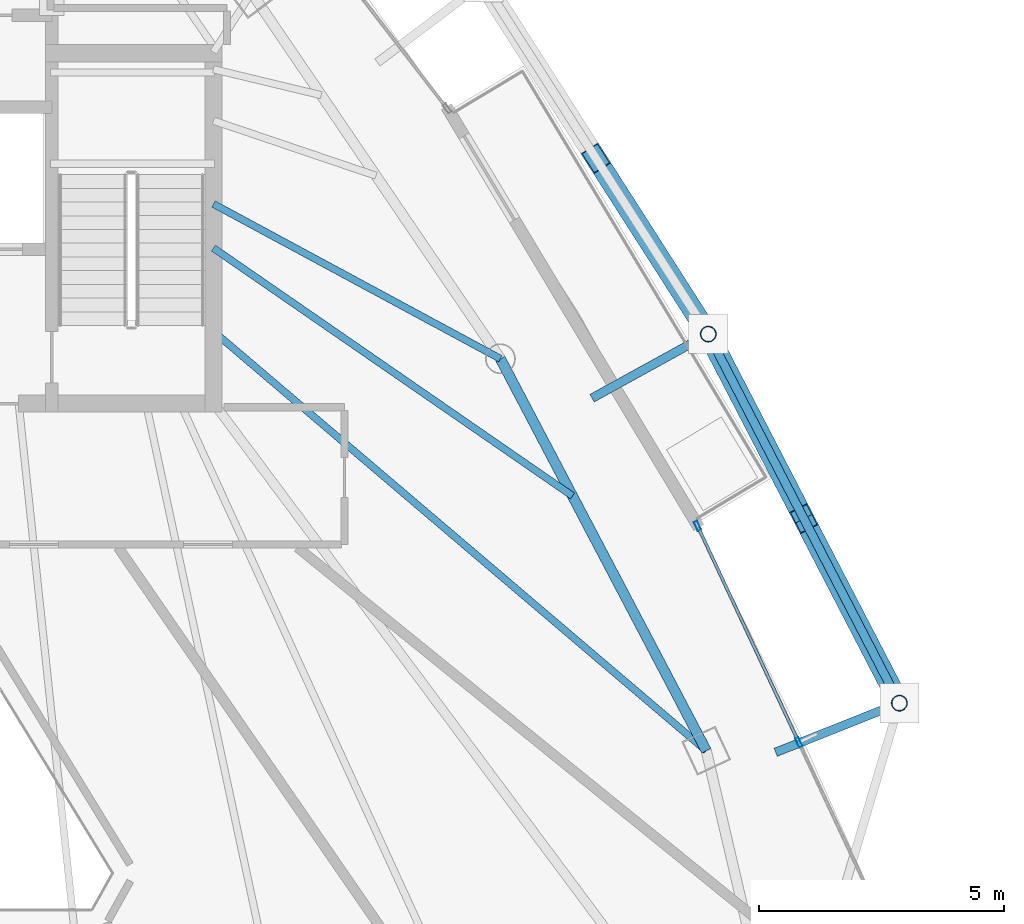
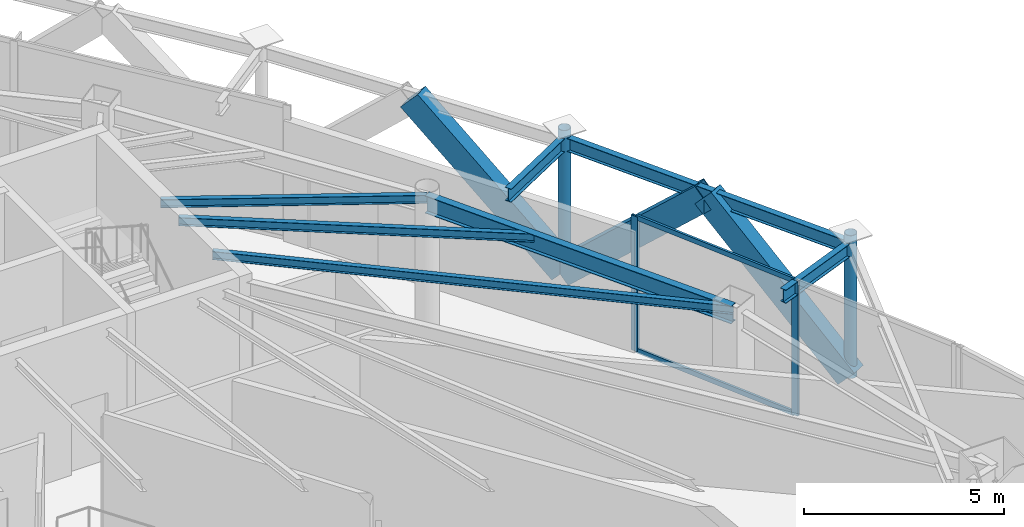
# One storey, part 14 of 25: 9 members, 7 beams, 1 element without a shape of its own.
"""IFC4 building model written with IfcOpenShell, lengths in metres."""

from ifc_helpers import new_model, si_unit, direction, frame, origin, origin_2d, place, context, subcontext, project, spatial, hollow_rectangle, hollow_circle, i_section, extrude, material, layer, layer_set, material_profile, profile_set, type_object, element, aggregate, save


model = new_model("IFC4")

# Units and contexts
model_context = context("Model", 3, precision=1e-05, world=origin(), true_north=direction((0.0, 1.0)))
body_context = subcontext(model_context, "Body", "Model", "MODEL_VIEW")
ifc_project = project(units=[si_unit("LENGTHUNIT", "METRE"), si_unit("AREAUNIT", "SQUARE_METRE"), si_unit("VOLUMEUNIT", "CUBIC_METRE"), si_unit("PLANEANGLEUNIT", "RADIAN"), si_unit("MASSUNIT", "GRAM", prefix="KILO")], contexts=[model_context])

# Site, building, storey
site_placement = place(None, origin())
site = spatial("IfcSite", under=ifc_project, at=site_placement, CompositionType="ELEMENT")
building_placement = place(site_placement, origin())
building = spatial("IfcBuilding", under=site, at=building_placement, Name="Orvanel Arch Residences", CompositionType="ELEMENT")
storey_placement = place(building_placement, frame((0.0, 0.0, 236.0)))
storey = spatial("IfcBuildingStorey", under=building, at=storey_placement, Name="L67", CompositionType="ELEMENT", Elevation=236.0)

# Beams
ifc_material_1 = material(Name="Structural steel AS/NZS 3679.1 Grade 300 (300 MPa)", Category="steel")
ifc_material_profile_1 = material_profile(ifc_material_1, i_section(OverallWidth=0.14599609375, OverallDepth=0.251953125, WebThickness=0.006103515625, FlangeThickness=0.008544921875, at=origin_2d()), Name="250UB31.4")
ifc_profile_set_1 = profile_set([ifc_material_profile_1], Name="Structural steel AS/NZS 3679.1 Grade 300 (300 MPa)")
beam_type_1 = type_object("IfcBeamType", Name="BJ-250UB", PredefinedType="JOIST", material=ifc_profile_set_1)
beam_1_placement = place(storey_placement, frame((39.574951171875, 30.800048828125, 3.98388671875), z_axis=(0.880111494021, -0.474767056664, 0.0), x_axis=(0.474767056664, 0.880111494021, 0.0)))
element("IfcBeam", 1, at=beam_1_placement, inside=storey, type_object=beam_type_1, Name="L67 NE Wing Floor Joist", PredefinedType="JOIST", context=body_context, shape_type="SweptSolid", body=[
    extrude(i_section(OverallWidth=0.14599609375, OverallDepth=0.251953125, WebThickness=0.006103515625, FlangeThickness=0.008544921875, at=origin_2d()), origin(), (0.0, 0.0, 1.0), 6.653564453125),
])
beam_2_placement = place(storey_placement, frame((39.574951171875, 28.199951171875, 3.98388671875), z_axis=(0.761622669031, -0.64802076357, 0.0), x_axis=(0.64802076357, 0.761622669031, 0.0)))
element("IfcBeam", 2, at=beam_2_placement, inside=storey, type_object=beam_type_1, Name="L67 E Wing Floor Joist", PredefinedType="JOIST", context=body_context, shape_type="SweptSolid", body=[
    extrude(i_section(OverallWidth=0.14599609375, OverallDepth=0.251953125, WebThickness=0.006103515625, FlangeThickness=0.008544921875, at=origin_2d()), origin(), (0.0, 0.0, 1.0), 13.2060546875),
])
beam_3_placement = place(storey_placement, frame((39.574951171875, 29.89990234375, 3.98388671875), z_axis=(0.822917046387, -0.568161539323, 0.0), x_axis=(0.568161539323, 0.822917046387, 0.0)))
element("IfcBeam", 3, at=beam_3_placement, inside=storey, type_object=beam_type_1, Name="L67 CTE Wing Floor Joist", PredefinedType="JOIST", context=body_context, shape_type="SweptSolid", body=[
    extrude(i_section(OverallWidth=0.14599609375, OverallDepth=0.251953125, WebThickness=0.006103515625, FlangeThickness=0.008544921875, at=origin_2d()), origin(), (0.0, 0.0, 1.0), 8.90380859375),
])

# Members
ifc_material_2 = material(Name="Structural steel AS/NZS 3678 Grade 350", Category="steel")
ifc_material_profile_2 = material_profile(ifc_material_2, hollow_rectangle(XDim=0.419921875, YDim=0.719970703125, WallThickness=0.02490234375, at=origin_2d()), Name="RHS720x420x25")
ifc_profile_set_2 = profile_set([ifc_material_profile_2], Name="Structural steel AS/NZS 3678 Grade 350")
member_type_1 = type_object("IfcMemberType", Name="BR-720RHS-EXT", PredefinedType="BRACE", material=ifc_profile_set_2)
member_1_placement = place(storey_placement, frame((53.573974609375, 20.612060546875, 0.0), z_axis=(-0.338171582428, 0.653098367216, 0.677571032127), x_axis=(-0.888016657429, -0.459811283169, 0.0)))
element("IfcMember", 4, at=member_1_placement, inside=storey, type_object=member_type_1, Name="L67 Exterior Sky-Garden V-Frame Chevron F3B1.1", PredefinedType="BRACE", context=body_context, shape_type="SweptSolid", body=[
    extrude(hollow_rectangle(XDim=0.419921875, YDim=0.719970703125, WallThickness=0.02490234375, at=origin_2d()), origin(), (0.0, 0.0, 1.0), 5.76611328125),
])
member_2_placement = place(storey_placement, frame((49.674072265625, 28.14404296875, 0.0), z_axis=(0.338162231274, -0.653122646756, 0.677552295866), x_axis=(0.888028828306, 0.459787777238, 0.0)))
element("IfcMember", 5, at=member_2_placement, inside=storey, type_object=member_type_1, Name="L67 Exterior Sky-Garden V-Frame Chevron F3B1.2", PredefinedType="BRACE", context=body_context, shape_type="SweptSolid", body=[
    extrude(hollow_rectangle(XDim=0.419921875, YDim=0.719970703125, WallThickness=0.02490234375, at=origin_2d()), origin(), (0.0, 0.0, 1.0), 5.766357421875),
])
member_3_placement = place(storey_placement, frame((49.674072265625, 28.14404296875, 0.0), z_axis=(-0.396963887707, 0.620813163109, 0.676025656589), x_axis=(-0.842491011802, -0.538710399967, 0.0)))
element("IfcMember", 6, at=member_3_placement, inside=storey, type_object=member_type_1, Name="L67 Exterior Sky-Garden V-Frame Chevron F3B2.1", PredefinedType="BRACE", context=body_context, shape_type="SweptSolid", body=[
    extrude(hollow_rectangle(XDim=0.419921875, YDim=0.719970703125, WallThickness=0.02490234375, at=origin_2d()), origin(), (0.0, 0.0, 1.0), 5.779296875),
])

# Curtain wall, members
ifc_material_3 = material(Name="Bronze-anodised aluminium AA6063-T6", Category="aluminium")
ifc_layer = layer(ifc_material_3, 0.195068359375)
ifc_layer_set = layer_set([ifc_layer], Name="Bronze-anodised aluminium AA6063-T6")
curtain_wall_type = type_object("IfcCurtainWallType", Name="CW6-COM-SYS", PredefinedType="NOTDEFINED", material=ifc_layer_set)
curtain_wall_placement = place(storey_placement, origin())
curtain_wall = element("IfcCurtainWall", 7, at=curtain_wall_placement, inside=storey, type_object=curtain_wall_type, Name="L67 CW6-COM-SYS Unitised Curtain Wall", PredefinedType="NOTDEFINED")
ifc_material_profile_3 = material_profile(ifc_material_3, hollow_rectangle(XDim=0.074951171875, YDim=0.199951171875, WallThickness=0.0048828125, at=origin_2d()), Name="ALU200x75x5")
ifc_profile_set_3 = profile_set([ifc_material_profile_3], Name="Bronze-anodised aluminium AA6063-T6")
member_type_2 = type_object("IfcMemberType", Name="MUL-200x75", PredefinedType="MULLION", material=ifc_profile_set_3)
member_4_placement = place(storey_placement, frame((51.52197265625, 19.8125, 0.0), z_axis=(0.0, 0.0, 1.0), x_axis=(-0.905779948908, -0.423748373633, 0.0)))
member_4 = element("IfcMember", 8, at=member_4_placement, type_object=member_type_2, Name="CW-S6 mullion 2", PredefinedType="MULLION", context=body_context, shape_type="SweptSolid", body=[
    extrude(hollow_rectangle(XDim=0.074951171875, YDim=0.199951171875, WallThickness=0.0048828125, at=origin_2d()), origin(), (0.0, 0.0, 1.0), 4.110107421875),
])
member_5_placement = place(storey_placement, frame((49.454833984375, 24.23095703125, 0.0), z_axis=(0.0, 0.0, 1.0), x_axis=(-0.905779948908, -0.423748373633, 0.0)))
member_5 = element("IfcMember", 9, at=member_5_placement, type_object=member_type_2, Name="CW-S6 mullion 3", PredefinedType="MULLION", context=body_context, shape_type="SweptSolid", body=[
    extrude(hollow_rectangle(XDim=0.074951171875, YDim=0.199951171875, WallThickness=0.0048828125, at=origin_2d()), origin(), (0.0, 0.0, 1.0), 4.110107421875),
])

# Beams
ifc_material_profile_4 = material_profile(ifc_material_1, i_section(OverallWidth=0.177978515625, OverallDepth=0.406005859375, WebThickness=0.0078125, FlangeThickness=0.0126953125, at=origin_2d()), Name="410UB59.7")
ifc_profile_set_4 = profile_set([ifc_material_profile_4], Name="Structural steel AS/NZS 3679.1 Grade 300 (300 MPa)")
beam_type_2 = type_object("IfcBeamType", Name="OB-410UB-EXT", PredefinedType="SPANDREL", material=ifc_profile_set_4)
beam_4_placement = place(storey_placement, frame((51.049072265625, 19.60791015625, 3.906982421875), z_axis=(0.929212237447, 0.369546502864, 0.0), x_axis=(-0.369546502864, 0.929212237447, 0.0)))
element("IfcBeam", 10, at=beam_4_placement, inside=storey, type_object=beam_type_2, Name="L67 Outer Frame Radial Tie Beam 09", PredefinedType="SPANDREL", context=body_context, shape_type="SweptSolid", body=[
    extrude(i_section(OverallWidth=0.177978515625, OverallDepth=0.406005859375, WebThickness=0.0078125, FlangeThickness=0.0126953125, at=origin_2d()), origin(), (0.0, 0.0, 1.0), 2.71728515625),
])
beam_5_placement = place(storey_placement, frame((53.573974609375, 20.612060546875, 3.906982421875), z_axis=(-0.459799529944, 0.8880227431, 0.0), x_axis=(-0.8880227431, -0.459799529944, 0.0)))
element("IfcBeam", 11, at=beam_5_placement, inside=storey, type_object=beam_type_2, Name="L67 Outer Perimeter Floor Ring Beam 09", PredefinedType="SPANDREL", context=body_context, shape_type="SweptSolid", body=[
    extrude(i_section(OverallWidth=0.177978515625, OverallDepth=0.406005859375, WebThickness=0.0078125, FlangeThickness=0.0126953125, at=origin_2d()), origin(), (0.0, 0.0, 1.0), 8.481689453125),
])
beam_6_placement = place(storey_placement, frame((47.302001953125, 26.8369140625, 3.906982421875), z_axis=(0.875827370142, 0.48262451006, 0.0), x_axis=(-0.48262451006, 0.875827370142, 0.0)))
element("IfcBeam", 12, at=beam_6_placement, inside=storey, type_object=beam_type_2, Name="L67 Outer Frame Radial Tie Beam 10", PredefinedType="SPANDREL", context=body_context, shape_type="SweptSolid", body=[
    extrude(i_section(OverallWidth=0.177978515625, OverallDepth=0.406005859375, WebThickness=0.0078125, FlangeThickness=0.0126953125, at=origin_2d()), origin(), (0.0, 0.0, 1.0), 2.70849609375),
])
ifc_material_profile_5 = material_profile(ifc_material_1, i_section(OverallWidth=0.208984375, OverallDepth=0.532958984375, WebThickness=0.01025390625, FlangeThickness=0.015625, at=origin_2d()), Name="530UB92.4")
ifc_profile_set_5 = profile_set([ifc_material_profile_5], Name="Structural steel AS/NZS 3679.1 Grade 300 (300 MPa)")
beam_type_3 = type_object("IfcBeamType", Name="SP-530UB", PredefinedType="SPANDREL", material=ifc_profile_set_5)
beam_7_placement = place(storey_placement, frame((49.633056640625, 19.64208984375, 3.843994140625), z_axis=(-0.465064762793, 0.885276660942, 0.0), x_axis=(-0.885276660942, -0.465064762793, 0.0)))
element("IfcBeam", 13, at=beam_7_placement, inside=storey, type_object=beam_type_3, Name="L67 Perimeter Spandrel Beam 07", PredefinedType="SPANDREL", context=body_context, shape_type="SweptSolid", body=[
    extrude(i_section(OverallWidth=0.208984375, OverallDepth=0.532958984375, WebThickness=0.01025390625, FlangeThickness=0.015625, at=origin_2d()), origin(), (0.0, 0.0, 1.0), 9.03564453125),
])

# Members
ifc_material_4 = material(Name="Structural steel AS/NZS 1163 C350L0 (Grade 350)", Category="steel")
ifc_material_profile_6 = material_profile(ifc_material_4, hollow_circle(Radius=0.162109375, WallThickness=0.0126953125, at=origin_2d()), Name="CHS324x12.7")
ifc_profile_set_6 = profile_set([ifc_material_profile_6], Name="Structural steel AS/NZS 1163 C350L0 (Grade 350)")
member_type_3 = type_object("IfcMemberType", Name="ST-324CHS-EXT", PredefinedType="STRUT", material=ifc_profile_set_6)
for number, where, z_axis, x_axis, name in (
    (14, (53.573974609375, 20.612060546875, 0.0), (0.0, 0.0, 1.0), (1.0, 0.0, 0.0), "L67 Outer Perimeter Frame Post 09"),
    (15, (49.674072265625, 28.14404296875, 0.0), (0.0, 0.0, 1.0), (1.0, 0.0, 0.0), "L67 Outer Perimeter Frame Post 10"),
):
    element("IfcMember", number, at=place(storey_placement, frame(where, z_axis=z_axis, x_axis=x_axis)), inside=storey, type_object=member_type_3, Name=name, PredefinedType="STRUT", context=body_context, shape_type="SweptSolid", body=[
        extrude(hollow_circle(Radius=0.162109375, WallThickness=0.0126953125, at=origin_2d()), origin(), (0.0, 0.0, 1.0), 4.35009765625),
    ])

# Member
ifc_material_profile_7 = material_profile(ifc_material_3, hollow_rectangle(XDim=0.06494140625, YDim=0.14990234375, WallThickness=0.00390625, at=origin_2d()), Name="ALU150x65x4")
ifc_profile_set_7 = profile_set([ifc_material_profile_7], Name="Bronze-anodised aluminium AA6063-T6")
member_type_4 = type_object("IfcMemberType", Name="TRN-150x65", PredefinedType="USERDEFINED", material=ifc_profile_set_7)
member_6_placement = place(storey_placement, frame((51.506103515625, 19.846435546875, 0.032470703125), z_axis=(-0.423761790356, 0.905773672081, 0.0), x_axis=(-0.905773672081, -0.423761790356, 0.0)))
member_6 = element("IfcMember", 16, at=member_6_placement, type_object=member_type_4, Name="CW-S6 transom 2.1", ObjectType="TRANSOM", PredefinedType="USERDEFINED", context=body_context, shape_type="SweptSolid", body=[
    extrude(hollow_rectangle(XDim=0.06494140625, YDim=0.14990234375, WallThickness=0.00390625, at=origin_2d()), origin(), (0.0, 0.0, 1.0), 4.80322265625),
])

member_7_placement = place(storey_placement, frame((51.506103515625, 19.846435546875, 4.077392578125), z_axis=(-0.423761790356, 0.905773672081, 0.0), x_axis=(-0.905773672081, -0.423761790356, 0.0)))
member_7 = element("IfcMember", 17, at=member_7_placement, type_object=member_type_4, Name="CW-S6 transom 2.2", ObjectType="TRANSOM", PredefinedType="USERDEFINED", context=body_context, shape_type="SweptSolid", body=[
    extrude(hollow_rectangle(XDim=0.06494140625, YDim=0.14990234375, WallThickness=0.00390625, at=origin_2d()), origin(), (0.0, 0.0, 1.0), 4.80322265625),
])

aggregate(curtain_wall, [member_4, member_5, member_6, member_7])

save(model, "model.ifc")
